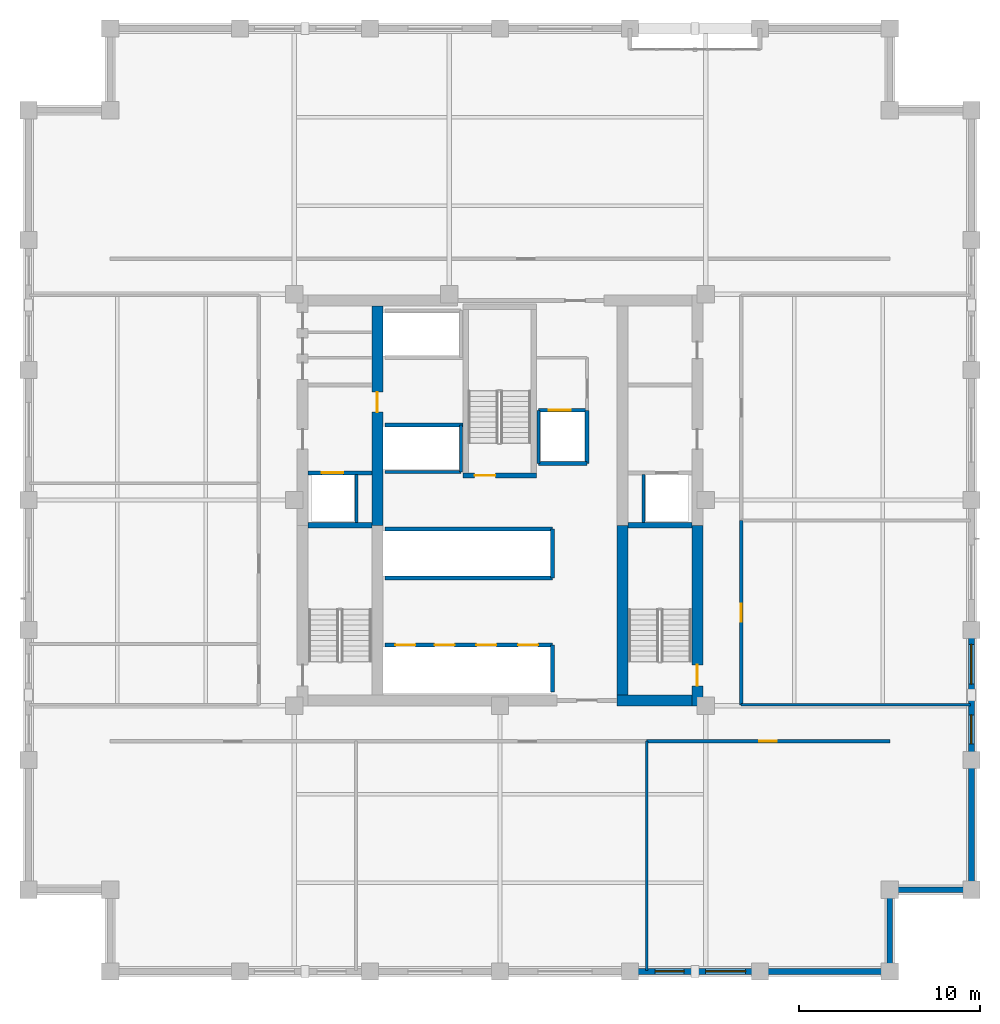
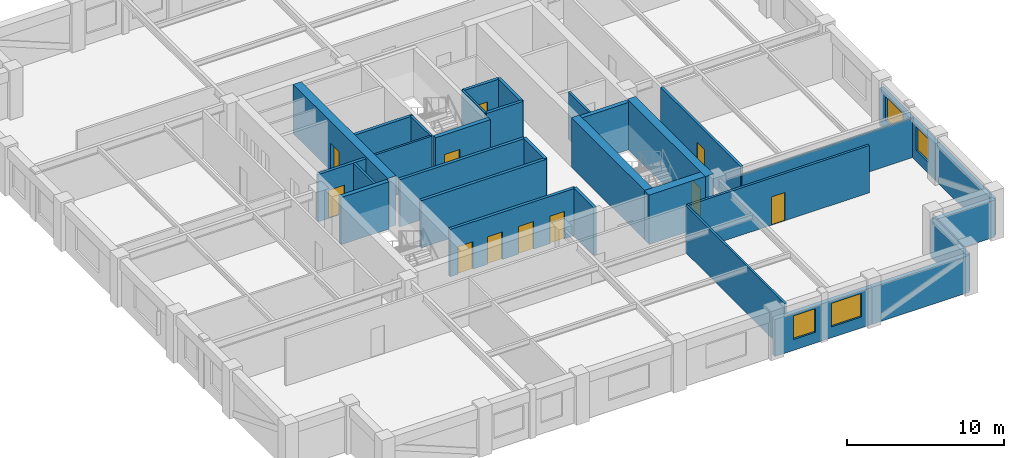
# One storey, part 7 of 11: 32 walls, 11 doors, 4 windows, 15 openings.
"""IFC4 building model written with IfcOpenShell, lengths in metres."""

import ifcopenshell
import ifcopenshell.guid

model = None  # the IFC model being written
_history = None  # IfcOwnerHistory: only IFC2X3 demands one
_inside = {}  # id of a spatial element -> (the spatial element, [elements in it])
_under = {}  # id of a project, library or spatial element -> (it, [spatial elements below it])
_declared = {}  # id of a project -> (the project, [libraries it declares])
_typed = {}  # id of a type object -> (the type object, [elements of that type])
_made_of = {}  # id of a material, layer set ... -> (it, [elements and type objects made of it])


def new_model(schema):
    """Start an empty IFC model of exactly this schema.

    Asked for "IFC4X3", IfcOpenShell would pick the latest addendum, in which some entities
    have other attributes; the version numbers below select the first issue.
    IFC2X3 requires an IfcOwnerHistory on every rooted entity: one is made here for all.
    """
    global model, _history
    if schema == "IFC4X3":
        model = ifcopenshell.file(schema_version=(4, 3, 0, 0))
    else:
        model = ifcopenshell.file(schema=schema)
    _inside.clear()
    _under.clear()
    _declared.clear()
    _typed.clear()
    _made_of.clear()
    _history = None
    if model.schema == "IFC2X3":
        org = make("IfcOrganization", Name="unknown")
        user = make(
            "IfcPersonAndOrganization",
            ThePerson=make("IfcPerson", FamilyName="unknown"),
            TheOrganization=org,
        )
        app = make(
            "IfcApplication",
            ApplicationDeveloper=org,
            Version="unknown",
            ApplicationFullName="unknown",
            ApplicationIdentifier="unknown",
        )
        _history = make(
            "IfcOwnerHistory",
            OwningUser=user,
            OwningApplication=app,
            ChangeAction="ADDED",
            CreationDate=0,
        )
    return model


def make(cls, **values):
    """One entity of the class cls with the attributes given. An attribute that is None is left unset."""
    return model.create_entity(
        cls, **{name: value for name, value in values.items() if value is not None}
    )


def rooted(cls, **values):
    """An entity with a GlobalId (a new one), such as an element, a storey or a relation."""
    return make(cls, GlobalId=ifcopenshell.guid.new(), OwnerHistory=_history, **values)


def si_unit(unit_type, name, prefix=None):
    """IfcSIUnit, for example si_unit("LENGTHUNIT", "METRE", prefix="MILLI")."""
    return make("IfcSIUnit", UnitType=unit_type, Prefix=prefix, Name=name)


def assignment(units):
    """IfcUnitAssignment: the units of a project."""
    return None if units is None else make("IfcUnitAssignment", Units=units)


def point(xyz):
    """IfcCartesianPoint."""
    return None if xyz is None else make("IfcCartesianPoint", Coordinates=xyz)


def direction(xyz):
    """IfcDirection."""
    return None if xyz is None else make("IfcDirection", DirectionRatios=xyz)


def frame(location, z_axis=None, x_axis=None):
    """IfcAxis2Placement3D, a coordinate frame: its origin and axes. An axis left out is left unset."""
    return make(
        "IfcAxis2Placement3D",
        Location=point(location),
        Axis=direction(z_axis),
        RefDirection=direction(x_axis),
    )


def frame_2d(location, x_axis=None):
    """IfcAxis2Placement2D, a coordinate frame in the plane: its origin and x axis."""
    return make(
        "IfcAxis2Placement2D", Location=point(location), RefDirection=direction(x_axis)
    )


def origin():
    """The frame at (0, 0, 0) with its axes left unset."""
    return frame((0.0, 0.0, 0.0))


def place(relative_to, where):
    """IfcLocalPlacement: puts the frame where relative to a parent placement (None: the world)."""
    return make(
        "IfcLocalPlacement", PlacementRelTo=relative_to, RelativePlacement=where
    )


def context(
    kind, dimensions, precision=None, world=None, true_north=None, identifier=None
):
    """IfcGeometricRepresentationContext, for example the 3D "Model" context."""
    return make(
        "IfcGeometricRepresentationContext",
        ContextIdentifier=identifier,
        ContextType=kind,
        CoordinateSpaceDimension=dimensions,
        Precision=precision,
        WorldCoordinateSystem=world,
        TrueNorth=true_north,
    )


def subcontext(parent, identifier, kind, view, scale=None):
    """IfcGeometricRepresentationSubContext, for example "Body" below "Model"."""
    return make(
        "IfcGeometricRepresentationSubContext",
        ContextIdentifier=identifier,
        ContextType=kind,
        ParentContext=parent,
        TargetScale=scale,
        TargetView=view,
    )


def project(units=None, contexts=None):
    """IfcProject with its units and contexts."""
    return rooted(
        "IfcProject",
        Name="project",
        RepresentationContexts=contexts,
        UnitsInContext=assignment(units),
    )


def spatial(cls, under=None, at=None, **own):
    """A site, building, storey or space (cls), placed at a placement, below another one or the project."""
    s = rooted(cls, ObjectPlacement=at, **own)
    if under is not None:
        _under.setdefault(under.id(), (under, []))[1].append(s)
    return s


def profile(cls, at=None, kind="AREA", **sizes):
    """A parametric profile (cls). Its sizes go by their IFC names, for example OverallWidth=200.0."""
    return make(cls, ProfileType=kind, Position=at, **sizes)


def rectangle(**sizes):
    """IfcRectangleProfileDef."""
    return profile("IfcRectangleProfileDef", **sizes)


def extrude(swept, where, along, depth):
    """IfcExtrudedAreaSolid: the profile swept, set in the frame where, extruded along a direction by depth."""
    return make(
        "IfcExtrudedAreaSolid",
        SweptArea=swept,
        Position=where,
        ExtrudedDirection=direction(along),
        Depth=depth,
    )


def shape(context_of_items, identifier, shape_type, items):
    """IfcShapeRepresentation: the items that make up one representation, for example the "Body"."""
    return make(
        "IfcShapeRepresentation",
        ContextOfItems=context_of_items,
        RepresentationIdentifier=identifier,
        RepresentationType=shape_type,
        Items=items,
    )


def material(Name=None, Category=None):
    """IfcMaterial."""
    return make("IfcMaterial", Name=Name, Category=Category)


def layer(
    of_material, thickness, ventilated=None, Name=None, Category=None, Priority=None
):
    """IfcMaterialLayer: one layer of a wall or slab, of a material (None: an air gap)."""
    return make(
        "IfcMaterialLayer",
        Material=of_material,
        LayerThickness=thickness,
        IsVentilated=ventilated,
        Name=Name,
        Category=Category,
        Priority=Priority,
    )


def layer_set(layers, Name=None):
    """IfcMaterialLayerSet."""
    return make("IfcMaterialLayerSet", MaterialLayers=layers, LayerSetName=Name)


def made_of(thing, what):
    """Note that an element or type object is made of a material, layer set ...; save() writes the relation."""
    if what is not None:
        _made_of.setdefault(what.id(), (what, []))[1].append(thing)
    return thing


def type_object(cls, material=None, **own):
    """A type object (cls), such as IfcWallType, which elements share."""
    return made_of(rooted(cls, **own), material)


def element(
    cls,
    number,
    at=None,
    inside=None,
    cuts=None,
    type_object=None,
    material=None,
    context=None,
    identifier="Body",
    shape_type=None,
    held_by="IfcProductDefinitionShape",
    body=None,
    shapes=None,
    **own,
):
    """One element of the class cls, such as IfcWall. Its Tag is "e" and its number.

    at: its placement. inside: the storey or other place that contains it. cuts: it is an
    opening in that element (IfcRelVoidsElement). A single representation is given by context,
    identifier, shape_type and body (its items); several are given by shapes. held_by: the class
    of the entity that holds the representations. save() writes the other relations.
    """
    e = rooted(cls, Tag="e%d" % number, ObjectPlacement=at, **own)
    if body is not None:
        shapes = [shape(context, identifier, shape_type, body)]
    if shapes is not None:
        e.Representation = make(held_by, Representations=shapes)
    if inside is not None:
        _inside.setdefault(inside.id(), (inside, []))[1].append(e)
    if cuts is not None:
        rooted(
            "IfcRelVoidsElement", RelatingBuildingElement=cuts, RelatedOpeningElement=e
        )
    if type_object is not None:
        _typed.setdefault(type_object.id(), (type_object, []))[1].append(e)
    return made_of(e, material)


def fill(opening, filler):
    """IfcRelFillsElement: the door or window that sits in an opening."""
    return rooted(
        "IfcRelFillsElement",
        RelatingOpeningElement=opening,
        RelatedBuildingElement=filler,
    )


def aggregate(whole, parts):
    """IfcRelAggregates: a whole, such as a stair, and the parts it consists of."""
    return rooted("IfcRelAggregates", RelatingObject=whole, RelatedObjects=parts)


def save(model, path):
    """Write the relations noted so far, then the file.

    IfcRelAggregates (storeys below a building ...), IfcRelContainedInSpatialStructure (elements
    in a storey), IfcRelDefinesByType, IfcRelAssociatesMaterial and IfcRelDeclares: one each for
    every whole, place, type object, material and project.
    """
    for whole, parts in _under.values():
        aggregate(whole, parts)
    for where, things in _inside.values():
        rooted(
            "IfcRelContainedInSpatialStructure",
            RelatedElements=things,
            RelatingStructure=where,
        )
    for kind, things in _typed.values():
        rooted("IfcRelDefinesByType", RelatedObjects=things, RelatingType=kind)
    for what, things in _made_of.values():
        rooted("IfcRelAssociatesMaterial", RelatedObjects=things, RelatingMaterial=what)
    for by, libraries in _declared.values():
        rooted("IfcRelDeclares", RelatingContext=by, RelatedDefinitions=libraries)
    model.write(path)


model = new_model("IFC4")

# Units and contexts
model_context = context("Model", 3, precision=1e-05, world=origin(), true_north=direction((0.0, 1.0)))
body_context = subcontext(model_context, "Body", "Model", "MODEL_VIEW")
ifc_project = project(units=[si_unit("LENGTHUNIT", "METRE"), si_unit("AREAUNIT", "SQUARE_METRE"), si_unit("VOLUMEUNIT", "CUBIC_METRE"), si_unit("PLANEANGLEUNIT", "RADIAN"), si_unit("MASSUNIT", "GRAM", prefix="KILO")], contexts=[model_context])

# Site, building, storey
site_placement = place(None, origin())
site = spatial("IfcSite", under=ifc_project, at=site_placement, CompositionType="ELEMENT")
building_placement = place(site_placement, origin())
building = spatial("IfcBuilding", under=site, at=building_placement, Name="Nhamokura Convention Tower", CompositionType="ELEMENT")
storey_placement = place(building_placement, frame((0.0, 0.0, 141.39990234375)))
storey = spatial("IfcBuildingStorey", under=building, at=storey_placement, Name="L34", CompositionType="ELEMENT", Elevation=141.39990234375)

# Wall, openings, windows
ifc_material_1 = material(Name="Bronze-pigmented precast concrete C45/55", Category="concrete")
ifc_layer_1 = layer(ifc_material_1, 0.320068359375)
ifc_layer_set_1 = layer_set([ifc_layer_1], Name="BronzePrecastSpandrel_320")
wall_type_1 = type_object("IfcWallType", Name="BronzePrecastSpandrel_320", PredefinedType="USERDEFINED", material=ifc_layer_set_1)
wall_1_placement = place(storey_placement, frame((46.333251953125, 6.0, 0.0), z_axis=(0.0, 0.0, 1.0), x_axis=(-1.0, 0.0, 0.0)))
wall_1 = element("IfcWall", 1, at=wall_1_placement, inside=storey, type_object=wall_type_1, Name="L34 Masonry-Frame Wall SOUTH 4", ObjectType="SPANDREL_WALL", PredefinedType="USERDEFINED", context=body_context, shape_type="SweptSolid", body=[
    extrude(rectangle(XDim=7.16650390625, YDim=0.320068359375, at=frame_2d((3.583251953125, 0.0))), origin(), (0.0, 0.0, 1.0), 2.885009765625),
])
opening_1_placement = place(wall_1_placement, frame((0.791748046875, 0.0, 0.85009765625)))
opening_1 = element("IfcOpeningElement", 2, at=opening_1_placement, cuts=wall_1, Name="Opening W-06", PredefinedType="OPENING", context=body_context, shape_type="SweptSolid", body=[
    extrude(rectangle(XDim=2.199951171875, YDim=1.8349609375, at=frame_2d((1.10009765625, 0.91748046875))), frame((0.0, 0.169921875, 0.0), z_axis=(0.0, -1.0, 0.0), x_axis=(1.0, 0.0, 0.0)), (0.0, 0.0, 1.0), 0.340087890625),
])
opening_2_placement = place(wall_1_placement, frame((4.1748046875, 0.0, 0.85009765625)))
opening_2 = element("IfcOpeningElement", 3, at=opening_2_placement, cuts=wall_1, Name="Opening W-11", PredefinedType="OPENING", context=body_context, shape_type="SweptSolid", body=[
    extrude(rectangle(XDim=1.60009765625, YDim=1.8349609375, at=frame_2d((0.800048828125, 0.91748046875))), frame((0.0, 0.169921875, 0.0), z_axis=(0.0, -1.0, 0.0), x_axis=(1.0, 0.0, 0.0)), (0.0, 0.0, 1.0), 0.340087890625),
])
ifc_material_2 = material(Name="Solar-control bronze low-E double glass", Category="glass")
window_type_1 = type_object("IfcWindowType", Name="NotchCornerWindow_1600", PartitioningType="SINGLE_PANEL", PredefinedType="WINDOW", material=ifc_material_2)
window_1_placement = place(opening_2_placement, origin())
window_1 = element("IfcWindow", 4, at=window_1_placement, inside=storey, type_object=window_type_1, Name="L34 Facade Window SOUTH 4-2", OverallHeight=1.8349609375, OverallWidth=1.60009765625, PartitioningType="SINGLE_PANEL", PredefinedType="WINDOW", context=body_context, shape_type="SweptSolid", body=[
    extrude(rectangle(XDim=1.60009765625, YDim=1.8349609375, at=frame_2d((0.800048828125, 0.91748046875))), frame((0.0, 0.030029296875, 0.0), z_axis=(0.0, -1.0, 0.0), x_axis=(1.0, 0.0, 0.0)), (0.0, 0.0, 1.0), 0.06005859375),
])
fill(opening_2, window_1)
ifc_material_3 = material(Name="Solar-control bronze low-E double glass", Category="glass")
window_type_2 = type_object("IfcWindowType", Name="OfficeModuleWindow_Z2_2200", PartitioningType="SINGLE_PANEL", PredefinedType="WINDOW", material=ifc_material_3)
window_2_placement = place(opening_1_placement, origin())
window_2 = element("IfcWindow", 5, at=window_2_placement, inside=storey, type_object=window_type_2, Name="L34 Facade Window SOUTH 4-1", OverallHeight=1.8349609375, OverallWidth=2.199951171875, PartitioningType="SINGLE_PANEL", PredefinedType="WINDOW", context=body_context, shape_type="SweptSolid", body=[
    extrude(rectangle(XDim=2.199951171875, YDim=1.8349609375, at=frame_2d((1.10009765625, 0.91748046875))), frame((0.0, 0.030029296875, 0.0), z_axis=(0.0, -1.0, 0.0), x_axis=(1.0, 0.0, 0.0)), (0.0, 0.0, 1.0), 0.06005859375),
])
fill(opening_1, window_2)

# Walls
for number, where, z_axis, x_axis, name in (
    (6, (53.5, 6.0, 0.0), (0.0, 0.0, 1.0), (-1.0, 0.0, 0.0), "L34 Braced-Bay Precast Wall SOUTH 5"),
    (7, (58.0, 17.666748046875, 0.0), (0.0, 0.0, 1.0), (0.0, -1.0, 0.0), "L34 Braced-Bay Precast Wall EAST 0"),
):
    element("IfcWall", number, at=place(storey_placement, frame(where, z_axis=z_axis, x_axis=x_axis)), inside=storey, type_object=wall_type_1, Name=name, ObjectType="SPANDREL_WALL", PredefinedType="USERDEFINED", context=body_context, shape_type="SweptSolid", body=[
        extrude(rectangle(XDim=7.166748046875, YDim=0.320068359375, at=frame_2d((3.58349609375, 0.0))), origin(), (0.0, 0.0, 1.0), 2.885009765625),
    ])

# Wall, openings, windows
wall_2_placement = place(storey_placement, frame((58.0, 24.833251953125, 0.0), z_axis=(0.0, 0.0, 1.0), x_axis=(0.0, -1.0, 0.0)))
wall_2 = element("IfcWall", 8, at=wall_2_placement, inside=storey, type_object=wall_type_1, Name="L34 Masonry-Frame Wall EAST 1", ObjectType="SPANDREL_WALL", PredefinedType="USERDEFINED", context=body_context, shape_type="SweptSolid", body=[
    extrude(rectangle(XDim=7.16650390625, YDim=0.320068359375, at=frame_2d((3.583251953125, 0.0))), origin(), (0.0, 0.0, 1.0), 2.885009765625),
])
opening_3_placement = place(wall_2_placement, frame((0.791748046875, 0.0, 0.85009765625)))
opening_3 = element("IfcOpeningElement", 9, at=opening_3_placement, cuts=wall_2, Name="Opening W-06", PredefinedType="OPENING", context=body_context, shape_type="SweptSolid", body=[
    extrude(rectangle(XDim=2.199951171875, YDim=1.8349609375, at=frame_2d((1.10009765625, 0.91748046875))), frame((0.0, 0.169921875, 0.0), z_axis=(0.0, -1.0, 0.0), x_axis=(1.0, 0.0, 0.0)), (0.0, 0.0, 1.0), 0.340087890625),
])
opening_4_placement = place(wall_2_placement, frame((4.6875, 0.0, 0.85009765625)))
opening_4 = element("IfcOpeningElement", 10, at=opening_4_placement, cuts=wall_2, Name="Opening W-11", PredefinedType="OPENING", context=body_context, shape_type="SweptSolid", body=[
    extrude(rectangle(XDim=1.60009765625, YDim=1.8349609375, at=frame_2d((0.800048828125, 0.91748046875))), frame((0.0, 0.169921875, 0.0), z_axis=(0.0, -1.0, 0.0), x_axis=(1.0, 0.0, 0.0)), (0.0, 0.0, 1.0), 0.340087890625),
])
window_3_placement = place(opening_4_placement, origin())
window_3 = element("IfcWindow", 11, at=window_3_placement, inside=storey, type_object=window_type_1, Name="L34 Facade Window EAST 1-2", OverallHeight=1.8349609375, OverallWidth=1.60009765625, PartitioningType="SINGLE_PANEL", PredefinedType="WINDOW", context=body_context, shape_type="SweptSolid", body=[
    extrude(rectangle(XDim=1.60009765625, YDim=1.8349609375, at=frame_2d((0.800048828125, 0.91748046875))), frame((0.0, 0.030029296875, 0.0), z_axis=(0.0, -1.0, 0.0), x_axis=(1.0, 0.0, 0.0)), (0.0, 0.0, 1.0), 0.06005859375),
])
fill(opening_4, window_3)
window_4_placement = place(opening_3_placement, origin())
window_4 = element("IfcWindow", 12, at=window_4_placement, inside=storey, type_object=window_type_2, Name="L34 Facade Window EAST 1-1", OverallHeight=1.8349609375, OverallWidth=2.199951171875, PartitioningType="SINGLE_PANEL", PredefinedType="WINDOW", context=body_context, shape_type="SweptSolid", body=[
    extrude(rectangle(XDim=2.199951171875, YDim=1.8349609375, at=frame_2d((1.10009765625, 0.91748046875))), frame((0.0, 0.030029296875, 0.0), z_axis=(0.0, -1.0, 0.0), x_axis=(1.0, 0.0, 0.0)), (0.0, 0.0, 1.0), 0.06005859375),
])
fill(opening_3, window_4)

# Walls
for number, where, z_axis, x_axis, name in (
    (13, (53.5, 10.5, 0.0), (0.0, 0.0, 1.0), (0.0, -1.0, 0.0), "L34 Notched Corner Wall SE1"),
    (14, (58.0, 10.5, 0.0), (0.0, 0.0, 1.0), (-1.0, 0.0, 0.0), "L34 Notched Corner Wall SE2"),
):
    element("IfcWall", number, at=place(storey_placement, frame(where, z_axis=z_axis, x_axis=x_axis)), inside=storey, type_object=wall_type_1, Name=name, ObjectType="SPANDREL_WALL", PredefinedType="USERDEFINED", context=body_context, shape_type="SweptSolid", body=[
        extrude(rectangle(XDim=4.5, YDim=0.320068359375, at=frame_2d((2.25, 0.0))), origin(), (0.0, 0.0, 1.0), 2.885009765625),
    ])

# Wall, opening, door
ifc_material_4 = material(Name="Concrete C60/75", Category="concrete")
ifc_layer_2 = layer(ifc_material_4, 0.60009765625)
ifc_layer_set_2 = layer_set([ifc_layer_2], Name="CoreShearWall_600")
wall_type_2 = type_object("IfcWallType", Name="CoreShearWall_600", PredefinedType="SHEAR", material=ifc_layer_set_2)
wall_3_placement = place(storey_placement, frame((42.889892578125, 20.64990234375, 0.0), z_axis=(0.0, 0.0, 1.0), x_axis=(0.0, 1.0, 0.0)))
wall_3 = element("IfcWall", 15, at=wall_3_placement, inside=storey, type_object=wall_type_2, Name="L34 Core Shear Wall CW-ES", PredefinedType="SHEAR", context=body_context, shape_type="SweptSolid", body=[
    extrude(rectangle(XDim=9.9501953125, YDim=0.60009765625, at=frame_2d((4.97509765625, 0.0))), origin(), (0.0, 0.0, 1.0), 3.85009765625),
])
opening_5_placement = place(wall_3_placement, frame((1.10009765625, 0.0, 0.0)))
opening_5 = element("IfcOpeningElement", 16, at=opening_5_placement, cuts=wall_3, Name="Opening D-04", PredefinedType="OPENING", context=body_context, shape_type="SweptSolid", body=[
    extrude(rectangle(XDim=1.14990234375, YDim=2.14990234375, at=frame_2d((0.574951171875, 1.074951171875))), frame((0.0, 0.31005859375, 0.0), z_axis=(0.0, -1.0, 0.0), x_axis=(1.0, 0.0, 0.0)), (0.0, 0.0, 1.0), 0.6201171875),
])
ifc_material_5 = material(Name="Fire-rated steel door", Category="steel")
door_type_1 = type_object("IfcDoorType", Name="StairSmokeDoor_1150", OperationType="NOTDEFINED", PredefinedType="DOOR", material=ifc_material_5)
door_1_placement = place(opening_5_placement, origin())
door_1 = element("IfcDoor", 17, at=door_1_placement, inside=storey, type_object=door_type_1, Name="L34 Core Door INT-L34-D-ST02", OperationType="SINGLE_SWING_RIGHT", OverallHeight=2.14990234375, OverallWidth=1.14990234375, PredefinedType="DOOR", context=body_context, shape_type="SweptSolid", body=[
    extrude(rectangle(XDim=1.14990234375, YDim=2.14990234375, at=frame_2d((0.574951171875, 1.074951171875))), frame((0.0, 0.02490234375, 0.0), z_axis=(0.0, -1.0, 0.0), x_axis=(1.0, 0.0, 0.0)), (0.0, 0.0, 1.0), 0.050048828125),
])
fill(opening_5, door_1)

# Wall
wall_4_placement = place(storey_placement, frame((38.449951171875, 20.949951171875, 0.0), z_axis=(0.0, 0.0, 1.0), x_axis=(1.0, 0.0, 0.0)))
element("IfcWall", 18, at=wall_4_placement, inside=storey, type_object=wall_type_2, Name="L34 Core Shear Wall CW-S2", PredefinedType="SHEAR", context=body_context, shape_type="SweptSolid", body=[
    extrude(rectangle(XDim=4.14013671875, YDim=0.60009765625, at=frame_2d((2.070068359375, 0.0))), origin(), (0.0, 0.0, 1.0), 3.85009765625),
])

# Wall, opening, door
wall_5_placement = place(storey_placement, frame((25.239990234375, 30.60009765625, 0.0), z_axis=(0.0, 0.0, 1.0), x_axis=(0.0, 1.0, 0.0)))
wall_5 = element("IfcWall", 19, at=wall_5_placement, inside=storey, type_object=wall_type_2, Name="L34 Core Shear Wall CW-IWN", PredefinedType="SHEAR", context=body_context, shape_type="SweptSolid", body=[
    extrude(rectangle(XDim=12.099853515625, YDim=0.60009765625, at=frame_2d((6.0498046875, 0.0))), origin(), (0.0, 0.0, 1.0), 3.85009765625),
])
opening_6_placement = place(wall_5_placement, frame((6.25, 0.0, 0.0)))
opening_6 = element("IfcOpeningElement", 20, at=opening_6_placement, cuts=wall_5, Name="Opening D-05", PredefinedType="OPENING", context=body_context, shape_type="SweptSolid", body=[
    extrude(rectangle(XDim=1.10009765625, YDim=2.14990234375, at=frame_2d((0.550048828125, 1.074951171875))), frame((0.0, 0.31005859375, 0.0), z_axis=(0.0, -1.0, 0.0), x_axis=(1.0, 0.0, 0.0)), (0.0, 0.0, 1.0), 0.6201171875),
])
ifc_material_6 = material(Name="Fire-rated steel door", Category="steel")
door_type_2 = type_object("IfcDoorType", Name="FireLobbyDoor_1100", OperationType="NOTDEFINED", PredefinedType="DOOR", material=ifc_material_6)
door_2_placement = place(opening_6_placement, origin())
door_2 = element("IfcDoor", 21, at=door_2_placement, inside=storey, type_object=door_type_2, Name="L34 Core Door INT-L34-D-B3LOB", OperationType="SINGLE_SWING_LEFT", OverallHeight=2.14990234375, OverallWidth=1.10009765625, PredefinedType="DOOR", context=body_context, shape_type="SweptSolid", body=[
    extrude(rectangle(XDim=1.10009765625, YDim=2.14990234375, at=frame_2d((0.550048828125, 1.074951171875))), frame((0.0, 0.02490234375, 0.0), z_axis=(0.0, -1.0, 0.0), x_axis=(1.0, 0.0, 0.0)), (0.0, 0.0, 1.0), 0.050048828125),
])
fill(opening_6, door_2)

# Wall
wall_6_placement = place(storey_placement, frame((38.760009765625, 21.25, 0.0), z_axis=(0.0, 0.0, 1.0), x_axis=(0.0, 1.0, 0.0)))
element("IfcWall", 22, at=wall_6_placement, inside=storey, type_object=wall_type_2, Name="L34 Core Shear Wall CW-IES", PredefinedType="SHEAR", context=body_context, shape_type="SweptSolid", body=[
    extrude(rectangle(XDim=9.35009765625, YDim=0.60009765625, at=frame_2d((4.675048828125, 0.0))), origin(), (0.0, 0.0, 1.0), 3.85009765625),
])

# Wall, opening, door
ifc_material_7 = material(Name="Fire-rated gypsum and masonry partition", Category="masonry")
ifc_layer_3 = layer(ifc_material_7, 0.179931640625)
ifc_layer_set_3 = layer_set([ifc_layer_3], Name="CorridorRatedWall_180")
wall_type_3 = type_object("IfcWallType", Name="CorridorRatedWall_180", PredefinedType="STANDARD", material=ifc_layer_set_3)
wall_7_placement = place(storey_placement, frame((40.091796875, 18.699951171875, 0.0), z_axis=(0.0, 0.0, 1.0), x_axis=(1.0, 0.0, 0.0)))
wall_7 = element("IfcWall", 23, at=wall_7_placement, inside=storey, type_object=wall_type_3, Name="L34 Wall INT-L34-CW-S02", PredefinedType="STANDARD", context=body_context, shape_type="SweptSolid", body=[
    extrude(rectangle(XDim=13.408203125, YDim=0.179931640625, at=frame_2d((6.7041015625, 0.0))), origin(), (0.0, 0.0, 1.0), 3.68505859375),
])
opening_7_placement = place(wall_7_placement, frame((6.2041015625, 0.0, 0.0)))
opening_7 = element("IfcOpeningElement", 24, at=opening_7_placement, cuts=wall_7, Name="Opening D-08", PredefinedType="OPENING", context=body_context, shape_type="SweptSolid", body=[
    extrude(rectangle(XDim=0.97998046875, YDim=2.199951171875, at=frame_2d((0.489990234375, 1.10009765625))), frame((0.0, 0.099853515625, 0.0), z_axis=(0.0, -1.0, 0.0), x_axis=(1.0, 0.0, 0.0)), (0.0, 0.0, 1.0), 0.199951171875),
])
ifc_material_8 = material(Name="Solid oak hardwood", Category="wood")
door_type_3 = type_object("IfcDoorType", Name="OfficeEntryDoor_980", OperationType="NOTDEFINED", PredefinedType="DOOR", material=ifc_material_8)
door_3_placement = place(opening_7_placement, origin())
door_3 = element("IfcDoor", 25, at=door_3_placement, inside=storey, type_object=door_type_3, Name="L34 Faculty Office S03 Door", OperationType="SINGLE_SWING_LEFT", OverallHeight=2.199951171875, OverallWidth=0.97998046875, PredefinedType="DOOR", context=body_context, shape_type="SweptSolid", body=[
    extrude(rectangle(XDim=0.97998046875, YDim=2.199951171875, at=frame_2d((0.489990234375, 1.10009765625))), frame((0.0, 0.02490234375, 0.0), z_axis=(0.0, -1.0, 0.0), x_axis=(1.0, 0.0, 0.0)), (0.0, 0.0, 1.0), 0.050048828125),
])
fill(opening_7, door_3)

wall_8_placement = place(storey_placement, frame((45.300048828125, 20.699951171875, 0.0), z_axis=(0.0, 0.0, 1.0), x_axis=(0.0, 1.0, 0.0)))
wall_8 = element("IfcWall", 26, at=wall_8_placement, inside=storey, type_object=wall_type_3, Name="L34 Wall INT-L34-CW-E00", PredefinedType="STANDARD", context=body_context, shape_type="SweptSolid", body=[
    extrude(rectangle(XDim=10.175048828125, YDim=0.179931640625, at=frame_2d((5.08740234375, 0.0))), origin(), (0.0, 0.0, 1.0), 3.68505859375),
])
opening_8_placement = place(wall_8_placement, frame((4.58740234375, 0.0, 0.0)))
opening_8 = element("IfcOpeningElement", 27, at=opening_8_placement, cuts=wall_8, Name="Opening D-08", PredefinedType="OPENING", context=body_context, shape_type="SweptSolid", body=[
    extrude(rectangle(XDim=0.97998046875, YDim=2.199951171875, at=frame_2d((0.489990234375, 1.10009765625))), frame((0.0, 0.099853515625, 0.0), z_axis=(0.0, -1.0, 0.0), x_axis=(1.0, 0.0, 0.0)), (0.0, 0.0, 1.0), 0.199951171875),
])
door_4_placement = place(opening_8_placement, origin())
door_4 = element("IfcDoor", 28, at=door_4_placement, inside=storey, type_object=door_type_3, Name="L34 Reference Library E01 Door", OperationType="SINGLE_SWING_LEFT", OverallHeight=2.199951171875, OverallWidth=0.97998046875, PredefinedType="DOOR", context=body_context, shape_type="SweptSolid", body=[
    extrude(rectangle(XDim=0.97998046875, YDim=2.199951171875, at=frame_2d((0.489990234375, 1.10009765625))), frame((0.0, 0.02490234375, 0.0), z_axis=(0.0, -1.0, 0.0), x_axis=(1.0, 0.0, 0.0)), (0.0, 0.0, 1.0), 0.050048828125),
])
fill(opening_8, door_4)

ifc_material_9 = material(Name="Autoclaved concrete blockwork", Category="masonry")
ifc_layer_4 = layer(ifc_material_9, 0.219970703125)
ifc_layer_set_4 = layer_set([ifc_layer_4], Name="FireLobbyWall_220")
wall_type_4 = type_object("IfcWallType", Name="FireLobbyWall_220", PredefinedType="STANDARD", material=ifc_layer_set_4)
wall_9_placement = place(storey_placement, frame((21.409912109375, 33.5, 0.0), z_axis=(0.0, 0.0, 1.0), x_axis=(1.0, 0.0, 0.0)))
wall_9 = element("IfcWall", 29, at=wall_9_placement, inside=storey, type_object=wall_type_4, Name="L34 Wall INT-L34-FFW-S", PredefinedType="STANDARD", context=body_context, shape_type="SweptSolid", body=[
    extrude(rectangle(XDim=3.530029296875, YDim=0.219970703125, at=frame_2d((1.76513671875, 0.0))), origin(), (0.0, 0.0, 1.0), 3.68505859375),
])
opening_9_placement = place(wall_9_placement, frame((0.75, 0.0, 0.0)))
opening_9 = element("IfcOpeningElement", 30, at=opening_9_placement, cuts=wall_9, Name="Opening LD-02", PredefinedType="OPENING", context=body_context, shape_type="SweptSolid", body=[
    extrude(rectangle(XDim=1.199951171875, YDim=2.199951171875, at=frame_2d((0.60009765625, 1.10009765625))), frame((0.0, 0.119873046875, 0.0), z_axis=(0.0, -1.0, 0.0), x_axis=(1.0, 0.0, 0.0)), (0.0, 0.0, 1.0), 0.239990234375),
])
ifc_material_10 = material(Name="Anodised bronze stainless steel", Category="steel")
door_type_4 = type_object("IfcDoorType", Name="LiftLandingDoor_FireService", OperationType="DOUBLE_DOOR_SLIDING", PredefinedType="DOOR", material=ifc_material_10)
door_5_placement = place(opening_9_placement, origin())
door_5 = element("IfcDoor", 31, at=door_5_placement, inside=storey, type_object=door_type_4, Name="L34 Firefighting Lift LF-01 Door", OperationType="DOUBLE_DOOR_SLIDING", OverallHeight=2.199951171875, OverallWidth=1.199951171875, PredefinedType="DOOR", context=body_context, shape_type="SweptSolid", body=[
    extrude(rectangle(XDim=1.199951171875, YDim=2.199951171875, at=frame_2d((0.60009765625, 1.10009765625))), frame((0.0, 0.02490234375, 0.0), z_axis=(0.0, -1.0, 0.0), x_axis=(1.0, 0.0, 0.0)), (0.0, 0.0, 1.0), 0.050048828125),
])
fill(opening_9, door_5)

# Wall, openings, doors
wall_10_placement = place(storey_placement, frame((25.64990234375, 24.0, 0.0), z_axis=(0.0, 0.0, 1.0), x_axis=(1.0, 0.0, 0.0)))
wall_10 = element("IfcWall", 32, at=wall_10_placement, inside=storey, type_object=wall_type_4, Name="L34 Wall INT-L34-B1N", PredefinedType="STANDARD", context=body_context, shape_type="SweptSolid", body=[
    extrude(rectangle(XDim=9.25, YDim=0.219970703125, at=frame_2d((4.625, 0.0))), origin(), (0.0, 0.0, 1.0), 3.68505859375),
])
opening_10_placement = place(wall_10_placement, frame((0.580078125, 0.0, 0.0)))
opening_10 = element("IfcOpeningElement", 33, at=opening_10_placement, cuts=wall_10, Name="Opening LD-01", PredefinedType="OPENING", context=body_context, shape_type="SweptSolid", body=[
    extrude(rectangle(XDim=1.10009765625, YDim=2.14990234375, at=frame_2d((0.550048828125, 1.074951171875))), frame((0.0, 0.119873046875, 0.0), z_axis=(0.0, -1.0, 0.0), x_axis=(1.0, 0.0, 0.0)), (0.0, 0.0, 1.0), 0.239990234375),
])
opening_11_placement = place(wall_10_placement, frame((2.75, 0.0, 0.0)))
opening_11 = element("IfcOpeningElement", 34, at=opening_11_placement, cuts=wall_10, Name="Opening LD-01", PredefinedType="OPENING", context=body_context, shape_type="SweptSolid", body=[
    extrude(rectangle(XDim=1.10009765625, YDim=2.14990234375, at=frame_2d((0.550048828125, 1.074951171875))), frame((0.0, 0.119873046875, 0.0), z_axis=(0.0, -1.0, 0.0), x_axis=(1.0, 0.0, 0.0)), (0.0, 0.0, 1.0), 0.239990234375),
])
opening_12_placement = place(wall_10_placement, frame((5.050048828125, 0.0, 0.0)))
opening_12 = element("IfcOpeningElement", 35, at=opening_12_placement, cuts=wall_10, Name="Opening LD-01", PredefinedType="OPENING", context=body_context, shape_type="SweptSolid", body=[
    extrude(rectangle(XDim=1.10009765625, YDim=2.14990234375, at=frame_2d((0.550048828125, 1.074951171875))), frame((0.0, 0.119873046875, 0.0), z_axis=(0.0, -1.0, 0.0), x_axis=(1.0, 0.0, 0.0)), (0.0, 0.0, 1.0), 0.239990234375),
])
opening_13_placement = place(wall_10_placement, frame((7.35009765625, 0.0, 0.0)))
opening_13 = element("IfcOpeningElement", 36, at=opening_13_placement, cuts=wall_10, Name="Opening LD-01", PredefinedType="OPENING", context=body_context, shape_type="SweptSolid", body=[
    extrude(rectangle(XDim=1.10009765625, YDim=2.14990234375, at=frame_2d((0.550048828125, 1.074951171875))), frame((0.0, 0.119873046875, 0.0), z_axis=(0.0, -1.0, 0.0), x_axis=(1.0, 0.0, 0.0)), (0.0, 0.0, 1.0), 0.239990234375),
])
ifc_material_11 = material(Name="Anodised bronze stainless steel", Category="steel")
door_type_5 = type_object("IfcDoorType", Name="LiftLandingDoor_Passenger", OperationType="DOUBLE_DOOR_SLIDING", PredefinedType="DOOR", material=ifc_material_11)
door_6_placement = place(opening_10_placement, origin())
door_6 = element("IfcDoor", 37, at=door_6_placement, inside=storey, type_object=door_type_5, Name="L34 Lift LP-01 Landing Door", OperationType="DOUBLE_DOOR_SLIDING", OverallHeight=2.14990234375, OverallWidth=1.10009765625, PredefinedType="DOOR", context=body_context, shape_type="SweptSolid", body=[
    extrude(rectangle(XDim=1.10009765625, YDim=2.14990234375, at=frame_2d((0.550048828125, 1.074951171875))), frame((0.0, 0.02490234375, 0.0), z_axis=(0.0, -1.0, 0.0), x_axis=(1.0, 0.0, 0.0)), (0.0, 0.0, 1.0), 0.050048828125),
])
fill(opening_10, door_6)
door_7_placement = place(opening_11_placement, origin())
door_7 = element("IfcDoor", 38, at=door_7_placement, inside=storey, type_object=door_type_5, Name="L34 Lift LP-02 Landing Door", OperationType="DOUBLE_DOOR_SLIDING", OverallHeight=2.14990234375, OverallWidth=1.10009765625, PredefinedType="DOOR", context=body_context, shape_type="SweptSolid", body=[
    extrude(rectangle(XDim=1.10009765625, YDim=2.14990234375, at=frame_2d((0.550048828125, 1.074951171875))), frame((0.0, 0.02490234375, 0.0), z_axis=(0.0, -1.0, 0.0), x_axis=(1.0, 0.0, 0.0)), (0.0, 0.0, 1.0), 0.050048828125),
])
fill(opening_11, door_7)
door_8_placement = place(opening_12_placement, origin())
door_8 = element("IfcDoor", 39, at=door_8_placement, inside=storey, type_object=door_type_5, Name="L34 Lift LP-03 Landing Door", OperationType="DOUBLE_DOOR_SLIDING", OverallHeight=2.14990234375, OverallWidth=1.10009765625, PredefinedType="DOOR", context=body_context, shape_type="SweptSolid", body=[
    extrude(rectangle(XDim=1.10009765625, YDim=2.14990234375, at=frame_2d((0.550048828125, 1.074951171875))), frame((0.0, 0.02490234375, 0.0), z_axis=(0.0, -1.0, 0.0), x_axis=(1.0, 0.0, 0.0)), (0.0, 0.0, 1.0), 0.050048828125),
])
fill(opening_12, door_8)
door_9_placement = place(opening_13_placement, origin())
door_9 = element("IfcDoor", 40, at=door_9_placement, inside=storey, type_object=door_type_5, Name="L34 Lift LP-04 Landing Door", OperationType="DOUBLE_DOOR_SLIDING", OverallHeight=2.14990234375, OverallWidth=1.10009765625, PredefinedType="DOOR", context=body_context, shape_type="SweptSolid", body=[
    extrude(rectangle(XDim=1.10009765625, YDim=2.14990234375, at=frame_2d((0.550048828125, 1.074951171875))), frame((0.0, 0.02490234375, 0.0), z_axis=(0.0, -1.0, 0.0), x_axis=(1.0, 0.0, 0.0)), (0.0, 0.0, 1.0), 0.050048828125),
])
fill(opening_13, door_9)

# Walls
wall_11_placement = place(storey_placement, frame((34.89990234375, 21.39990234375, 0.0), z_axis=(0.0, 0.0, 1.0), x_axis=(0.0, 1.0, 0.0)))
element("IfcWall", 41, at=wall_11_placement, inside=storey, type_object=wall_type_4, Name="L34 Wall INT-L34-B1E", PredefinedType="STANDARD", context=body_context, shape_type="SweptSolid", body=[
    extrude(rectangle(XDim=2.60009765625, YDim=0.219970703125, at=frame_2d((1.300048828125, 0.0))), origin(), (0.0, 0.0, 1.0), 3.68505859375),
])
for number, where, z_axis, x_axis, name in (
    (42, (25.64990234375, 27.699951171875, 0.0), (0.0, 0.0, 1.0), (1.0, 0.0, 0.0), "L34 Wall INT-L34-B2S"),
    (43, (25.64990234375, 30.39990234375, 0.0), (0.0, 0.0, 1.0), (1.0, 0.0, 0.0), "L34 Wall INT-L34-B2N"),
):
    element("IfcWall", number, at=place(storey_placement, frame(where, z_axis=z_axis, x_axis=x_axis)), inside=storey, type_object=wall_type_4, Name=name, PredefinedType="STANDARD", context=body_context, shape_type="SweptSolid", body=[
        extrude(rectangle(XDim=9.25, YDim=0.219970703125, at=frame_2d((4.625, 0.0))), origin(), (0.0, 0.0, 1.0), 3.68505859375),
    ])
wall_12_placement = place(storey_placement, frame((34.89990234375, 27.699951171875, 0.0), z_axis=(0.0, 0.0, 1.0), x_axis=(0.0, 1.0, 0.0)))
element("IfcWall", 44, at=wall_12_placement, inside=storey, type_object=wall_type_4, Name="L34 Wall INT-L34-B2E", PredefinedType="STANDARD", context=body_context, shape_type="SweptSolid", body=[
    extrude(rectangle(XDim=2.699951171875, YDim=0.219970703125, at=frame_2d((1.35009765625, 0.0))), origin(), (0.0, 0.0, 1.0), 3.68505859375),
])
wall_13_placement = place(storey_placement, frame((25.64990234375, 36.14990234375, 0.0), z_axis=(0.0, 0.0, 1.0), x_axis=(1.0, 0.0, 0.0)))
element("IfcWall", 45, at=wall_13_placement, inside=storey, type_object=wall_type_4, Name="L34 Wall INT-L34-B3S", PredefinedType="STANDARD", context=body_context, shape_type="SweptSolid", body=[
    extrude(rectangle(XDim=4.300048828125, YDim=0.219970703125, at=frame_2d((2.14990234375, 0.0))), origin(), (0.0, 0.0, 1.0), 3.68505859375),
])

# Wall, opening, door
wall_14_placement = place(storey_placement, frame((34.1201171875, 36.949951171875, 0.0), z_axis=(0.0, 0.0, 1.0), x_axis=(1.0, 0.0, 0.0)))
wall_14 = element("IfcWall", 46, at=wall_14_placement, inside=storey, type_object=wall_type_4, Name="L34 Wall INT-L34-LSN", PredefinedType="STANDARD", context=body_context, shape_type="SweptSolid", body=[
    extrude(rectangle(XDim=2.679931640625, YDim=0.219970703125, at=frame_2d((1.33984375, 0.0))), origin(), (0.0, 0.0, 1.0), 3.68505859375),
])
opening_14_placement = place(wall_14_placement, frame((0.580078125, 0.0, 0.0)))
opening_14 = element("IfcOpeningElement", 47, at=opening_14_placement, cuts=wall_14, Name="Opening LD-02", PredefinedType="OPENING", context=body_context, shape_type="SweptSolid", body=[
    extrude(rectangle(XDim=1.199951171875, YDim=2.199951171875, at=frame_2d((0.60009765625, 1.10009765625))), frame((0.0, 0.119873046875, 0.0), z_axis=(0.0, -1.0, 0.0), x_axis=(1.0, 0.0, 0.0)), (0.0, 0.0, 1.0), 0.239990234375),
])
door_10_placement = place(opening_14_placement, origin())
door_10 = element("IfcDoor", 48, at=door_10_placement, inside=storey, type_object=door_type_4, Name="L34 Service Lift LS-01 Door", OperationType="DOUBLE_DOOR_SLIDING", OverallHeight=2.199951171875, OverallWidth=1.199951171875, PredefinedType="DOOR", context=body_context, shape_type="SweptSolid", body=[
    extrude(rectangle(XDim=1.199951171875, YDim=2.199951171875, at=frame_2d((0.60009765625, 1.10009765625))), frame((0.0, 0.02490234375, 0.0), z_axis=(0.0, -1.0, 0.0), x_axis=(1.0, 0.0, 0.0)), (0.0, 0.0, 1.0), 0.050048828125),
])
fill(opening_14, door_10)

# Walls
wall_15_placement = place(storey_placement, frame((36.800048828125, 34.02001953125, 0.0), z_axis=(0.0, 0.0, 1.0), x_axis=(0.0, 1.0, 0.0)))
element("IfcWall", 49, at=wall_15_placement, inside=storey, type_object=wall_type_4, Name="L34 Wall INT-L34-LSE", PredefinedType="STANDARD", context=body_context, shape_type="SweptSolid", body=[
    extrude(rectangle(XDim=2.929931640625, YDim=0.219970703125, at=frame_2d((1.46484375, 0.0))), origin(), (0.0, 0.0, 1.0), 3.68505859375),
])
wall_16_placement = place(storey_placement, frame((34.1201171875, 34.02001953125, 0.0), z_axis=(0.0, 0.0, 1.0), x_axis=(1.0, 0.0, 0.0)))
element("IfcWall", 50, at=wall_16_placement, inside=storey, type_object=wall_type_4, Name="L34 Wall INT-L34-LSS", PredefinedType="STANDARD", context=body_context, shape_type="SweptSolid", body=[
    extrude(rectangle(XDim=2.679931640625, YDim=0.219970703125, at=frame_2d((1.33984375, 0.0))), origin(), (0.0, 0.0, 1.0), 3.68505859375),
])
ifc_material_12 = material(Name="Acoustic gypsum stud partition", Category="masonry")
ifc_layer_5 = layer(ifc_material_12, 0.14990234375)
ifc_layer_set_5 = layer_set([ifc_layer_5], Name="InteriorPartition_150")
wall_type_5 = type_object("IfcWallType", Name="InteriorPartition_150", PredefinedType="STANDARD", material=ifc_layer_set_5)
for number, where, z_axis, x_axis, name in (
    (51, (24.080078125, 30.75, 0.0), (0.0, 0.0, 1.0), (0.0, 1.0, 0.0), "L34 Wall INT-L34-FF1-E"),
    (52, (39.919921875, 30.75, 0.0), (0.0, 0.0, 1.0), (0.0, 1.0, 0.0), "L34 Wall INT-L34-FF2-W"),
):
    element("IfcWall", number, at=place(storey_placement, frame(where, z_axis=z_axis, x_axis=x_axis)), inside=storey, type_object=wall_type_5, Name=name, PredefinedType="STANDARD", context=body_context, shape_type="SweptSolid", body=[
        extrude(rectangle(XDim=2.64990234375, YDim=0.14990234375, at=frame_2d((1.324951171875, 0.0))), origin(), (0.0, 0.0, 1.0), 3.68505859375),
    ])
wall_17_placement = place(storey_placement, frame((25.64990234375, 33.550048828125, 0.0), z_axis=(0.0, 0.0, 1.0), x_axis=(1.0, 0.0, 0.0)))
element("IfcWall", 53, at=wall_17_placement, inside=storey, type_object=wall_type_5, Name="L34 Wall INT-L34-B3A-S", PredefinedType="STANDARD", context=body_context, shape_type="SweptSolid", body=[
    extrude(rectangle(XDim=4.2001953125, YDim=0.14990234375, at=frame_2d((2.10009765625, 0.0))), origin(), (0.0, 0.0, 1.0), 3.68505859375),
])
wall_18_placement = place(storey_placement, frame((29.85009765625, 33.550048828125, 0.0), z_axis=(0.0, 0.0, 1.0), x_axis=(0.0, 1.0, 0.0)))
element("IfcWall", 54, at=wall_18_placement, inside=storey, type_object=wall_type_5, Name="L34 Wall INT-L34-B3A-E", PredefinedType="STANDARD", context=body_context, shape_type="SweptSolid", body=[
    extrude(rectangle(XDim=2.599853515625, YDim=0.14990234375, at=frame_2d((1.2998046875, 0.0))), origin(), (0.0, 0.0, 1.0), 3.68505859375),
])
wall_19_placement = place(storey_placement, frame((34.1201171875, 34.02001953125, 0.0), z_axis=(0.0, 0.0, 1.0), x_axis=(0.0, 1.0, 0.0)))
element("IfcWall", 55, at=wall_19_placement, inside=storey, type_object=wall_type_5, Name="L34 Wall INT-L34-LSW", PredefinedType="STANDARD", context=body_context, shape_type="SweptSolid", body=[
    extrude(rectangle(XDim=2.929931640625, YDim=0.14990234375, at=frame_2d((1.46484375, 0.0))), origin(), (0.0, 0.0, 1.0), 3.68505859375),
])
wall_20_placement = place(storey_placement, frame((40.091796875, 6.06005859375, 0.0), z_axis=(0.0, 0.0, 1.0), x_axis=(0.0, 1.0, 0.0)))
element("IfcWall", 56, at=wall_20_placement, inside=storey, type_object=wall_type_5, Name="L34 Wall INT-L34-RW-S02", PredefinedType="STANDARD", context=body_context, shape_type="SweptSolid", body=[
    extrude(rectangle(XDim=12.639892578125, YDim=0.14990234375, at=frame_2d((6.31982421875, 0.0))), origin(), (0.0, 0.0, 1.0), 3.68505859375),
])
wall_21_placement = place(storey_placement, frame((45.300048828125, 20.699951171875, 0.0), z_axis=(0.0, 0.0, 1.0), x_axis=(1.0, 0.0, 0.0)))
element("IfcWall", 57, at=wall_21_placement, inside=storey, type_object=wall_type_5, Name="L34 Wall INT-L34-RWB-E", PredefinedType="STANDARD", context=body_context, shape_type="SweptSolid", body=[
    extrude(rectangle(XDim=12.639892578125, YDim=0.14990234375, at=frame_2d((6.31982421875, 0.0))), origin(), (0.0, 0.0, 1.0), 3.065185546875),
])
ifc_material_13 = material(Name="Concrete C50/60", Category="concrete")
ifc_layer_6 = layer(ifc_material_13, 0.300048828125)
ifc_layer_set_6 = layer_set([ifc_layer_6], Name="ShaftEnclosureWall_300")
wall_type_6 = type_object("IfcWallType", Name="ShaftEnclosureWall_300", PredefinedType="SHEAR", material=ifc_layer_set_6)
for number, where, z_axis, x_axis, name in (
    (58, (21.409912109375, 30.60009765625, 0.0), (0.0, 0.0, 1.0), (1.0, 0.0, 0.0), "L34 Wall INT-L34-ST01-N"),
    (59, (39.06005859375, 30.60009765625, 0.0), (0.0, 0.0, 1.0), (1.0, 0.0, 0.0), "L34 Wall INT-L34-ST02-N"),
):
    element("IfcWall", number, at=place(storey_placement, frame(where, z_axis=z_axis, x_axis=x_axis)), inside=storey, type_object=wall_type_6, Name=name, PredefinedType="SHEAR", context=body_context, shape_type="SweptSolid", body=[
        extrude(rectangle(XDim=3.530029296875, YDim=0.300048828125, at=frame_2d((1.76513671875, 0.0))), origin(), (0.0, 0.0, 1.0), 3.68505859375),
    ])

# Wall, opening, door
wall_22_placement = place(storey_placement, frame((29.949951171875, 33.35009765625, 0.0), z_axis=(0.0, 0.0, 1.0), x_axis=(1.0, 0.0, 0.0)))
wall_22 = element("IfcWall", 60, at=wall_22_placement, inside=storey, type_object=wall_type_6, Name="L34 Wall INT-L34-ST03S", PredefinedType="SHEAR", context=body_context, shape_type="SweptSolid", body=[
    extrude(rectangle(XDim=4.050048828125, YDim=0.300048828125, at=frame_2d((2.02490234375, 0.0))), origin(), (0.0, 0.0, 1.0), 3.68505859375),
])
opening_15_placement = place(wall_22_placement, frame((0.64990234375, 0.0, 0.0)))
opening_15 = element("IfcOpeningElement", 61, at=opening_15_placement, cuts=wall_22, Name="Opening D-04", PredefinedType="OPENING", context=body_context, shape_type="SweptSolid", body=[
    extrude(rectangle(XDim=1.14990234375, YDim=2.14990234375, at=frame_2d((0.574951171875, 1.074951171875))), frame((0.0, 0.159912109375, 0.0), z_axis=(0.0, -1.0, 0.0), x_axis=(1.0, 0.0, 0.0)), (0.0, 0.0, 1.0), 0.320068359375),
])
door_11_placement = place(opening_15_placement, origin())
door_11 = element("IfcDoor", 62, at=door_11_placement, inside=storey, type_object=door_type_1, Name="L34 Stair ST-03 Smoke Door", OperationType="SINGLE_SWING_LEFT", OverallHeight=2.14990234375, OverallWidth=1.14990234375, PredefinedType="DOOR", context=body_context, shape_type="SweptSolid", body=[
    extrude(rectangle(XDim=1.14990234375, YDim=2.14990234375, at=frame_2d((0.574951171875, 1.074951171875))), frame((0.0, 0.02490234375, 0.0), z_axis=(0.0, -1.0, 0.0), x_axis=(1.0, 0.0, 0.0)), (0.0, 0.0, 1.0), 0.050048828125),
])
fill(opening_15, door_11)

save(model, "model.ifc")
